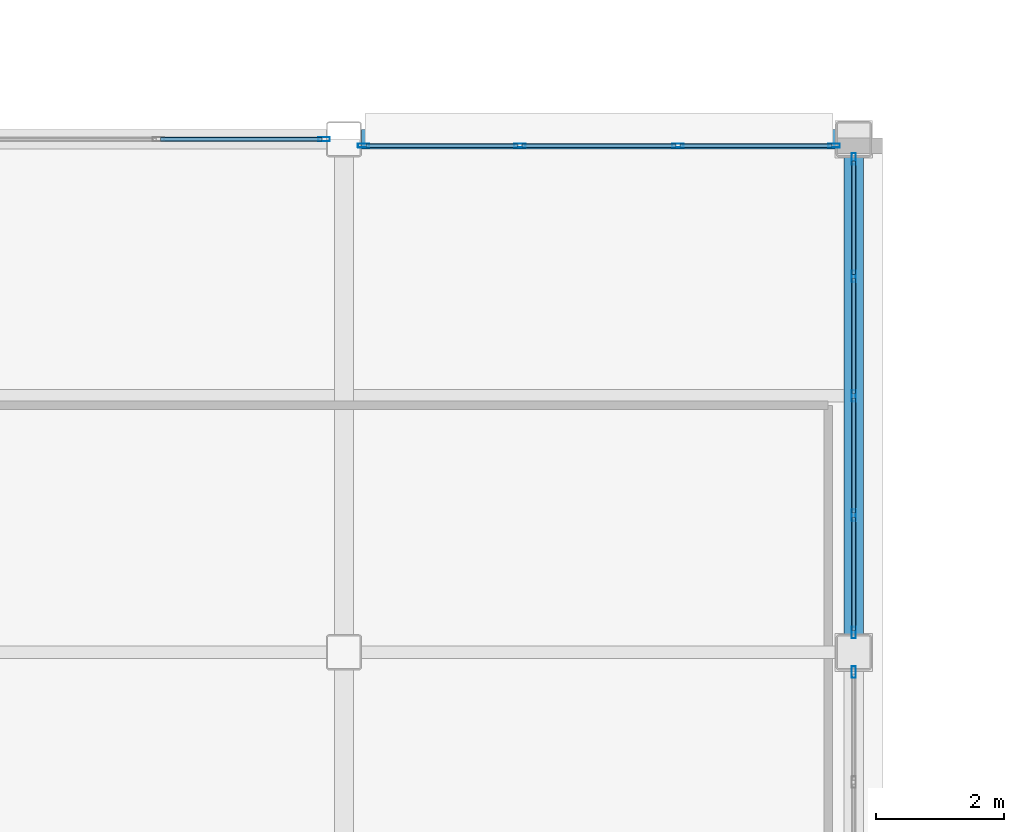
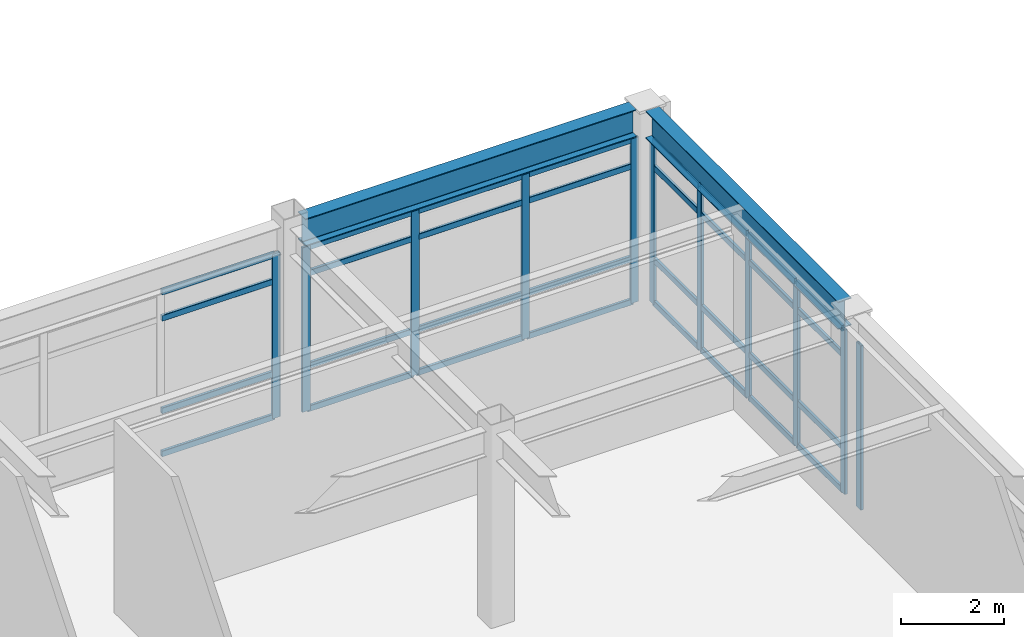
# One storey, part 60 of 154: 43 members, 2 beams, 4 elements without a shape of their own.
"""IFC4 building model written with IfcOpenShell, lengths in metres."""

from ifc_helpers import new_model, si_unit, direction, frame, origin, origin_2d, place, context, subcontext, project, spatial, hollow_rectangle, i_section, extrude, material, layer, layer_set, material_profile, profile_set, type_object, element, aggregate, save


model = new_model("IFC4")

# Units and contexts
model_context = context("Model", 3, precision=1e-05, world=origin(), true_north=direction((0.0, 1.0)))
body_context = subcontext(model_context, "Body", "Model", "MODEL_VIEW")
ifc_project = project(units=[si_unit("LENGTHUNIT", "METRE"), si_unit("AREAUNIT", "SQUARE_METRE"), si_unit("VOLUMEUNIT", "CUBIC_METRE"), si_unit("PLANEANGLEUNIT", "RADIAN"), si_unit("MASSUNIT", "GRAM", prefix="KILO")], contexts=[model_context])

# Site, building, storey
site_placement = place(None, origin())
site = spatial("IfcSite", under=ifc_project, at=site_placement, CompositionType="ELEMENT")
building_placement = place(site_placement, origin())
building = spatial("IfcBuilding", under=site, at=building_placement, Name="Kazehara Bluff Congress Hotel", CompositionType="ELEMENT")
storey_placement = place(building_placement, frame((0.0, 0.0, 10.199951171875)))
storey = spatial("IfcBuildingStorey", under=building, at=storey_placement, Name="L02", CompositionType="ELEMENT", Elevation=10.199951171875)

# Curtain wall, member
ifc_material_1 = material(Name="Anodised aluminium", Category="aluminium")
ifc_layer_1 = layer(ifc_material_1, 0.159912109375)
ifc_layer_set_1 = layer_set([ifc_layer_1], Name="Anodised aluminium")
curtain_wall_type_1 = type_object("IfcCurtainWallType", Name="TP-CW-59", PredefinedType="NOTDEFINED", material=ifc_layer_set_1)
curtain_wall_1_placement = place(storey_placement, origin())
curtain_wall_1 = element("IfcCurtainWall", 1, at=curtain_wall_1_placement, inside=storey, type_object=curtain_wall_type_1, Name="L02 curtain wall CW-59 CW-V4-L02-X10920-4118", PredefinedType="NOTDEFINED")
ifc_material_2 = material(Name="Anodised aluminium", Category="aluminium")
ifc_material_profile_1 = material_profile(ifc_material_2, hollow_rectangle(XDim=0.06494140625, YDim=0.179931640625, WallThickness=0.00390625, InnerFilletRadius=0.00390625, OuterFilletRadius=0.008056640625, at=origin_2d()))
ifc_profile_set_1 = profile_set([ifc_material_profile_1], Name="Anodised aluminium")
member_type_1 = type_object("IfcMemberType", Name="TP-CWM-02", PredefinedType="MULLION", material=ifc_profile_set_1)
member_1_placement = place(storey_placement, frame((109.199951171875, 48.142578125, 0.0), z_axis=(0.0, 0.0, 1.0), x_axis=(-1.0, 0.0, 0.0)))
member_1 = element("IfcMember", 2, at=member_1_placement, type_object=member_type_1, Name="CW-59 mullion 5", PredefinedType="MULLION", context=body_context, shape_type="SweptSolid", body=[
    extrude(hollow_rectangle(XDim=0.06494140625, YDim=0.179931640625, WallThickness=0.00390625, InnerFilletRadius=0.00390625, OuterFilletRadius=0.008056640625, at=origin_2d()), origin(), (0.0, 0.0, 1.0), 3.885009765625),
])
aggregate(curtain_wall_1, [member_1])

# Curtain wall, members
ifc_material_3 = material(Name="Anodised aluminium", Category="aluminium")
ifc_layer_2 = layer(ifc_material_3, 0.159912109375)
ifc_layer_set_2 = layer_set([ifc_layer_2], Name="Anodised aluminium")
curtain_wall_type_2 = type_object("IfcCurtainWallType", Name="TP-CW-60", PredefinedType="NOTDEFINED", material=ifc_layer_set_2)
curtain_wall_2_placement = place(storey_placement, origin())
curtain_wall_2 = element("IfcCurtainWall", 3, at=curtain_wall_2_placement, inside=storey, type_object=curtain_wall_type_2, Name="L02 curtain wall CW-60 CW-V4-L02-X10920-4872", PredefinedType="NOTDEFINED")
member_2_placement = place(storey_placement, frame((109.199951171875, 48.757568359375, 0.0), z_axis=(0.0, 0.0, 1.0), x_axis=(-1.0, 0.0, 0.0)))
member_2 = element("IfcMember", 4, at=member_2_placement, type_object=member_type_1, Name="CW-60 mullion 1", PredefinedType="MULLION", context=body_context, shape_type="SweptSolid", body=[
    extrude(hollow_rectangle(XDim=0.06494140625, YDim=0.179931640625, WallThickness=0.00390625, InnerFilletRadius=0.00390625, OuterFilletRadius=0.008056640625, at=origin_2d()), origin(), (0.0, 0.0, 1.0), 3.885009765625),
])
member_3_placement = place(storey_placement, frame((109.199951171875, 50.58740234375, 0.0), z_axis=(0.0, 0.0, 1.0), x_axis=(-1.0, 0.0, 0.0)))
member_3 = element("IfcMember", 5, at=member_3_placement, type_object=member_type_1, Name="CW-60 mullion 2", PredefinedType="MULLION", context=body_context, shape_type="SweptSolid", body=[
    extrude(hollow_rectangle(XDim=0.06494140625, YDim=0.179931640625, WallThickness=0.00390625, InnerFilletRadius=0.00390625, OuterFilletRadius=0.008056640625, at=origin_2d()), origin(), (0.0, 0.0, 1.0), 3.885009765625),
])
member_4_placement = place(storey_placement, frame((109.199951171875, 52.449951171875, 0.0), z_axis=(0.0, 0.0, 1.0), x_axis=(-1.0, 0.0, 0.0)))
member_4 = element("IfcMember", 6, at=member_4_placement, type_object=member_type_1, Name="CW-60 mullion 3", PredefinedType="MULLION", context=body_context, shape_type="SweptSolid", body=[
    extrude(hollow_rectangle(XDim=0.06494140625, YDim=0.179931640625, WallThickness=0.00390625, InnerFilletRadius=0.00390625, OuterFilletRadius=0.008056640625, at=origin_2d()), origin(), (0.0, 0.0, 1.0), 3.885009765625),
])
member_5_placement = place(storey_placement, frame((109.199951171875, 54.3125, 0.0), z_axis=(0.0, 0.0, 1.0), x_axis=(-1.0, 0.0, 0.0)))
member_5 = element("IfcMember", 7, at=member_5_placement, type_object=member_type_1, Name="CW-60 mullion 4", PredefinedType="MULLION", context=body_context, shape_type="SweptSolid", body=[
    extrude(hollow_rectangle(XDim=0.06494140625, YDim=0.179931640625, WallThickness=0.00390625, InnerFilletRadius=0.00390625, OuterFilletRadius=0.008056640625, at=origin_2d()), origin(), (0.0, 0.0, 1.0), 3.885009765625),
])
member_6_placement = place(storey_placement, frame((109.199951171875, 56.142578125, 0.0), z_axis=(0.0, 0.0, 1.0), x_axis=(-1.0, 0.0, 0.0)))
member_6 = element("IfcMember", 8, at=member_6_placement, type_object=member_type_1, Name="CW-60 mullion 5", PredefinedType="MULLION", context=body_context, shape_type="SweptSolid", body=[
    extrude(hollow_rectangle(XDim=0.06494140625, YDim=0.179931640625, WallThickness=0.00390625, InnerFilletRadius=0.00390625, OuterFilletRadius=0.008056640625, at=origin_2d()), origin(), (0.0, 0.0, 1.0), 3.885009765625),
])

# Curtain wall, member
ifc_material_4 = material(Name="Anodised aluminium", Category="aluminium")
ifc_layer_3 = layer(ifc_material_4, 0.159912109375)
ifc_layer_set_3 = layer_set([ifc_layer_3], Name="Anodised aluminium")
curtain_wall_type_3 = type_object("IfcCurtainWallType", Name="TP-CW-74", PredefinedType="NOTDEFINED", material=ifc_layer_set_3)
curtain_wall_3_placement = place(storey_placement, origin())
curtain_wall_3 = element("IfcCurtainWall", 9, at=curtain_wall_3_placement, inside=storey, type_object=curtain_wall_type_3, Name="L02 curtain wall CW-74 CW-V4-L02-Y5645-9312", PredefinedType="NOTDEFINED")
member_7_placement = place(storey_placement, frame((100.9423828125, 56.449951171875, 0.0), z_axis=(0.0, 0.0, 1.0), x_axis=(0.0, 1.0, 0.0)))
member_7 = element("IfcMember", 10, at=member_7_placement, type_object=member_type_1, Name="CW-74 mullion 4", PredefinedType="MULLION", context=body_context, shape_type="SweptSolid", body=[
    extrude(hollow_rectangle(XDim=0.06494140625, YDim=0.179931640625, WallThickness=0.00390625, InnerFilletRadius=0.00390625, OuterFilletRadius=0.008056640625, at=origin_2d()), origin(), (0.0, 0.0, 1.0), 3.885009765625),
])

# Curtain wall, members
ifc_material_5 = material(Name="Anodised aluminium", Category="aluminium")
ifc_layer_4 = layer(ifc_material_5, 0.159912109375)
ifc_layer_set_4 = layer_set([ifc_layer_4], Name="Anodised aluminium")
curtain_wall_type_4 = type_object("IfcCurtainWallType", Name="TP-CW-34", PredefinedType="NOTDEFINED", material=ifc_layer_set_4)
curtain_wall_4_placement = place(storey_placement, origin())
curtain_wall_4 = element("IfcCurtainWall", 11, at=curtain_wall_4_placement, inside=storey, type_object=curtain_wall_type_4, Name="L02 curtain wall CW-34 CW-ENC-V4-L02-10522-5635", PredefinedType="NOTDEFINED")
member_8_placement = place(storey_placement, frame((101.5576171875, 56.35009765625, 0.0), z_axis=(0.0, 0.0, 1.0), x_axis=(0.0, 1.0, 0.0)))
member_8 = element("IfcMember", 12, at=member_8_placement, type_object=member_type_1, Name="CW-34 mullion 1", PredefinedType="MULLION", context=body_context, shape_type="SweptSolid", body=[
    extrude(hollow_rectangle(XDim=0.06494140625, YDim=0.179931640625, WallThickness=0.00390625, InnerFilletRadius=0.00390625, OuterFilletRadius=0.008056640625, at=origin_2d()), origin(), (0.0, 0.0, 1.0), 3.885009765625),
])
member_9_placement = place(storey_placement, frame((103.99169921875, 56.35009765625, 0.0), z_axis=(0.0, 0.0, 1.0), x_axis=(0.0, 1.0, 0.0)))
member_9 = element("IfcMember", 13, at=member_9_placement, type_object=member_type_1, Name="CW-34 mullion 2", PredefinedType="MULLION", context=body_context, shape_type="SweptSolid", body=[
    extrude(hollow_rectangle(XDim=0.06494140625, YDim=0.179931640625, WallThickness=0.00390625, InnerFilletRadius=0.00390625, OuterFilletRadius=0.008056640625, at=origin_2d()), origin(), (0.0, 0.0, 1.0), 3.885009765625),
])
member_10_placement = place(storey_placement, frame((106.458251953125, 56.35009765625, 0.0), z_axis=(0.0, 0.0, 1.0), x_axis=(0.0, 1.0, 0.0)))
member_10 = element("IfcMember", 14, at=member_10_placement, type_object=member_type_1, Name="CW-34 mullion 3", PredefinedType="MULLION", context=body_context, shape_type="SweptSolid", body=[
    extrude(hollow_rectangle(XDim=0.06494140625, YDim=0.179931640625, WallThickness=0.00390625, InnerFilletRadius=0.00390625, OuterFilletRadius=0.008056640625, at=origin_2d()), origin(), (0.0, 0.0, 1.0), 3.885009765625),
])
member_11_placement = place(storey_placement, frame((108.892578125, 56.35009765625, 0.0), z_axis=(0.0, 0.0, 1.0), x_axis=(0.0, 1.0, 0.0)))
member_11 = element("IfcMember", 15, at=member_11_placement, type_object=member_type_1, Name="CW-34 mullion 4", PredefinedType="MULLION", context=body_context, shape_type="SweptSolid", body=[
    extrude(hollow_rectangle(XDim=0.06494140625, YDim=0.179931640625, WallThickness=0.00390625, InnerFilletRadius=0.00390625, OuterFilletRadius=0.008056640625, at=origin_2d()), origin(), (0.0, 0.0, 1.0), 3.885009765625),
])

# Member
ifc_material_6 = material(Name="Anodised aluminium", Category="aluminium")
ifc_material_profile_2 = material_profile(ifc_material_6, hollow_rectangle(XDim=0.06494140625, YDim=0.139892578125, WallThickness=0.00390625, InnerFilletRadius=0.00390625, OuterFilletRadius=0.008056640625, at=origin_2d()))
ifc_profile_set_2 = profile_set([ifc_material_profile_2], Name="Anodised aluminium")
member_type_2 = type_object("IfcMemberType", Name="TP-CWT-02", PredefinedType="USERDEFINED", material=ifc_profile_set_2)
member_12_placement = place(storey_placement, frame((109.199951171875, 48.7900390625, 0.032470703125), z_axis=(0.0, 1.0, 0.0), x_axis=(-1.0, 0.0, 0.0)))
member_12 = element("IfcMember", 16, at=member_12_placement, type_object=member_type_2, Name="CW-60 transom 1.1", ObjectType="TRANSOM", PredefinedType="USERDEFINED", context=body_context, shape_type="SweptSolid", body=[
    extrude(hollow_rectangle(XDim=0.06494140625, YDim=0.139892578125, WallThickness=0.00390625, InnerFilletRadius=0.00390625, OuterFilletRadius=0.008056640625, at=origin_2d()), origin(), (0.0, 0.0, 1.0), 1.764892578125),
])

member_13_placement = place(storey_placement, frame((109.199951171875, 48.7900390625, 1.050048828125), z_axis=(0.0, 1.0, 0.0), x_axis=(-1.0, 0.0, 0.0)))
member_13 = element("IfcMember", 17, at=member_13_placement, type_object=member_type_2, Name="CW-60 transom 1.2", ObjectType="TRANSOM", PredefinedType="USERDEFINED", context=body_context, shape_type="SweptSolid", body=[
    extrude(hollow_rectangle(XDim=0.06494140625, YDim=0.139892578125, WallThickness=0.00390625, InnerFilletRadius=0.00390625, OuterFilletRadius=0.008056640625, at=origin_2d()), origin(), (0.0, 0.0, 1.0), 1.764892578125),
])

member_14_placement = place(storey_placement, frame((109.199951171875, 48.7900390625, 3.235107421875), z_axis=(0.0, 1.0, 0.0), x_axis=(-1.0, 0.0, 0.0)))
member_14 = element("IfcMember", 18, at=member_14_placement, type_object=member_type_2, Name="CW-60 transom 1.3", ObjectType="TRANSOM", PredefinedType="USERDEFINED", context=body_context, shape_type="SweptSolid", body=[
    extrude(hollow_rectangle(XDim=0.06494140625, YDim=0.139892578125, WallThickness=0.00390625, InnerFilletRadius=0.00390625, OuterFilletRadius=0.008056640625, at=origin_2d()), origin(), (0.0, 0.0, 1.0), 1.764892578125),
])

member_15_placement = place(storey_placement, frame((109.199951171875, 48.7900390625, 3.8525390625), z_axis=(0.0, 1.0, 0.0), x_axis=(-1.0, 0.0, 0.0)))
member_15 = element("IfcMember", 19, at=member_15_placement, type_object=member_type_2, Name="CW-60 transom 1.4", ObjectType="TRANSOM", PredefinedType="USERDEFINED", context=body_context, shape_type="SweptSolid", body=[
    extrude(hollow_rectangle(XDim=0.06494140625, YDim=0.139892578125, WallThickness=0.00390625, InnerFilletRadius=0.00390625, OuterFilletRadius=0.008056640625, at=origin_2d()), origin(), (0.0, 0.0, 1.0), 1.764892578125),
])

member_16_placement = place(storey_placement, frame((109.199951171875, 50.6201171875, 0.032470703125), z_axis=(0.0, 1.0, 0.0), x_axis=(-1.0, 0.0, 0.0)))
member_16 = element("IfcMember", 20, at=member_16_placement, type_object=member_type_2, Name="CW-60 transom 2.1", ObjectType="TRANSOM", PredefinedType="USERDEFINED", context=body_context, shape_type="SweptSolid", body=[
    extrude(hollow_rectangle(XDim=0.06494140625, YDim=0.139892578125, WallThickness=0.00390625, InnerFilletRadius=0.00390625, OuterFilletRadius=0.008056640625, at=origin_2d()), origin(), (0.0, 0.0, 1.0), 1.79736328125),
])

member_17_placement = place(storey_placement, frame((109.199951171875, 50.6201171875, 1.050048828125), z_axis=(0.0, 1.0, 0.0), x_axis=(-1.0, 0.0, 0.0)))
member_17 = element("IfcMember", 21, at=member_17_placement, type_object=member_type_2, Name="CW-60 transom 2.2", ObjectType="TRANSOM", PredefinedType="USERDEFINED", context=body_context, shape_type="SweptSolid", body=[
    extrude(hollow_rectangle(XDim=0.06494140625, YDim=0.139892578125, WallThickness=0.00390625, InnerFilletRadius=0.00390625, OuterFilletRadius=0.008056640625, at=origin_2d()), origin(), (0.0, 0.0, 1.0), 1.79736328125),
])

member_18_placement = place(storey_placement, frame((109.199951171875, 50.6201171875, 3.235107421875), z_axis=(0.0, 1.0, 0.0), x_axis=(-1.0, 0.0, 0.0)))
member_18 = element("IfcMember", 22, at=member_18_placement, type_object=member_type_2, Name="CW-60 transom 2.3", ObjectType="TRANSOM", PredefinedType="USERDEFINED", context=body_context, shape_type="SweptSolid", body=[
    extrude(hollow_rectangle(XDim=0.06494140625, YDim=0.139892578125, WallThickness=0.00390625, InnerFilletRadius=0.00390625, OuterFilletRadius=0.008056640625, at=origin_2d()), origin(), (0.0, 0.0, 1.0), 1.79736328125),
])

member_19_placement = place(storey_placement, frame((109.199951171875, 50.6201171875, 3.8525390625), z_axis=(0.0, 1.0, 0.0), x_axis=(-1.0, 0.0, 0.0)))
member_19 = element("IfcMember", 23, at=member_19_placement, type_object=member_type_2, Name="CW-60 transom 2.4", ObjectType="TRANSOM", PredefinedType="USERDEFINED", context=body_context, shape_type="SweptSolid", body=[
    extrude(hollow_rectangle(XDim=0.06494140625, YDim=0.139892578125, WallThickness=0.00390625, InnerFilletRadius=0.00390625, OuterFilletRadius=0.008056640625, at=origin_2d()), origin(), (0.0, 0.0, 1.0), 1.79736328125),
])

member_20_placement = place(storey_placement, frame((109.199951171875, 52.482421875, 0.032470703125), z_axis=(0.0, 1.0, 0.0), x_axis=(-1.0, 0.0, 0.0)))
member_20 = element("IfcMember", 24, at=member_20_placement, type_object=member_type_2, Name="CW-60 transom 3.1", ObjectType="TRANSOM", PredefinedType="USERDEFINED", context=body_context, shape_type="SweptSolid", body=[
    extrude(hollow_rectangle(XDim=0.06494140625, YDim=0.139892578125, WallThickness=0.00390625, InnerFilletRadius=0.00390625, OuterFilletRadius=0.008056640625, at=origin_2d()), origin(), (0.0, 0.0, 1.0), 1.797607421875),
])

member_21_placement = place(storey_placement, frame((109.199951171875, 52.482421875, 1.050048828125), z_axis=(0.0, 1.0, 0.0), x_axis=(-1.0, 0.0, 0.0)))
member_21 = element("IfcMember", 25, at=member_21_placement, type_object=member_type_2, Name="CW-60 transom 3.2", ObjectType="TRANSOM", PredefinedType="USERDEFINED", context=body_context, shape_type="SweptSolid", body=[
    extrude(hollow_rectangle(XDim=0.06494140625, YDim=0.139892578125, WallThickness=0.00390625, InnerFilletRadius=0.00390625, OuterFilletRadius=0.008056640625, at=origin_2d()), origin(), (0.0, 0.0, 1.0), 1.797607421875),
])

member_22_placement = place(storey_placement, frame((109.199951171875, 52.482421875, 3.235107421875), z_axis=(0.0, 1.0, 0.0), x_axis=(-1.0, 0.0, 0.0)))
member_22 = element("IfcMember", 26, at=member_22_placement, type_object=member_type_2, Name="CW-60 transom 3.3", ObjectType="TRANSOM", PredefinedType="USERDEFINED", context=body_context, shape_type="SweptSolid", body=[
    extrude(hollow_rectangle(XDim=0.06494140625, YDim=0.139892578125, WallThickness=0.00390625, InnerFilletRadius=0.00390625, OuterFilletRadius=0.008056640625, at=origin_2d()), origin(), (0.0, 0.0, 1.0), 1.797607421875),
])

member_23_placement = place(storey_placement, frame((109.199951171875, 52.482421875, 3.8525390625), z_axis=(0.0, 1.0, 0.0), x_axis=(-1.0, 0.0, 0.0)))
member_23 = element("IfcMember", 27, at=member_23_placement, type_object=member_type_2, Name="CW-60 transom 3.4", ObjectType="TRANSOM", PredefinedType="USERDEFINED", context=body_context, shape_type="SweptSolid", body=[
    extrude(hollow_rectangle(XDim=0.06494140625, YDim=0.139892578125, WallThickness=0.00390625, InnerFilletRadius=0.00390625, OuterFilletRadius=0.008056640625, at=origin_2d()), origin(), (0.0, 0.0, 1.0), 1.797607421875),
])

member_24_placement = place(storey_placement, frame((109.199951171875, 54.344970703125, 0.032470703125), z_axis=(0.0, 1.0, 0.0), x_axis=(-1.0, 0.0, 0.0)))
member_24 = element("IfcMember", 28, at=member_24_placement, type_object=member_type_2, Name="CW-60 transom 4.1", ObjectType="TRANSOM", PredefinedType="USERDEFINED", context=body_context, shape_type="SweptSolid", body=[
    extrude(hollow_rectangle(XDim=0.06494140625, YDim=0.139892578125, WallThickness=0.00390625, InnerFilletRadius=0.00390625, OuterFilletRadius=0.008056640625, at=origin_2d()), origin(), (0.0, 0.0, 1.0), 1.76513671875),
])

member_25_placement = place(storey_placement, frame((109.199951171875, 54.344970703125, 1.050048828125), z_axis=(0.0, 1.0, 0.0), x_axis=(-1.0, 0.0, 0.0)))
member_25 = element("IfcMember", 29, at=member_25_placement, type_object=member_type_2, Name="CW-60 transom 4.2", ObjectType="TRANSOM", PredefinedType="USERDEFINED", context=body_context, shape_type="SweptSolid", body=[
    extrude(hollow_rectangle(XDim=0.06494140625, YDim=0.139892578125, WallThickness=0.00390625, InnerFilletRadius=0.00390625, OuterFilletRadius=0.008056640625, at=origin_2d()), origin(), (0.0, 0.0, 1.0), 1.76513671875),
])

member_26_placement = place(storey_placement, frame((109.199951171875, 54.344970703125, 3.235107421875), z_axis=(0.0, 1.0, 0.0), x_axis=(-1.0, 0.0, 0.0)))
member_26 = element("IfcMember", 30, at=member_26_placement, type_object=member_type_2, Name="CW-60 transom 4.3", ObjectType="TRANSOM", PredefinedType="USERDEFINED", context=body_context, shape_type="SweptSolid", body=[
    extrude(hollow_rectangle(XDim=0.06494140625, YDim=0.139892578125, WallThickness=0.00390625, InnerFilletRadius=0.00390625, OuterFilletRadius=0.008056640625, at=origin_2d()), origin(), (0.0, 0.0, 1.0), 1.76513671875),
])

member_27_placement = place(storey_placement, frame((109.199951171875, 54.344970703125, 3.8525390625), z_axis=(0.0, 1.0, 0.0), x_axis=(-1.0, 0.0, 0.0)))
member_27 = element("IfcMember", 31, at=member_27_placement, type_object=member_type_2, Name="CW-60 transom 4.4", ObjectType="TRANSOM", PredefinedType="USERDEFINED", context=body_context, shape_type="SweptSolid", body=[
    extrude(hollow_rectangle(XDim=0.06494140625, YDim=0.139892578125, WallThickness=0.00390625, InnerFilletRadius=0.00390625, OuterFilletRadius=0.008056640625, at=origin_2d()), origin(), (0.0, 0.0, 1.0), 1.76513671875),
])

aggregate(curtain_wall_2, [member_2, member_3, member_4, member_5, member_6, member_12, member_13, member_14, member_15, member_16, member_17, member_18, member_19, member_20, member_21, member_22, member_23, member_24, member_25, member_26, member_27])

member_28_placement = place(storey_placement, frame((98.390869140625, 56.449951171875, 0.032470703125), z_axis=(1.0, 0.0, 0.0), x_axis=(0.0, 1.0, 0.0)))
member_28 = element("IfcMember", 32, at=member_28_placement, type_object=member_type_2, Name="CW-74 transom 3.1", ObjectType="TRANSOM", PredefinedType="USERDEFINED", context=body_context, shape_type="SweptSolid", body=[
    extrude(hollow_rectangle(XDim=0.06494140625, YDim=0.139892578125, WallThickness=0.00390625, InnerFilletRadius=0.00390625, OuterFilletRadius=0.008056640625, at=origin_2d()), origin(), (0.0, 0.0, 1.0), 2.51904296875),
])

member_29_placement = place(storey_placement, frame((98.390869140625, 56.449951171875, 1.050048828125), z_axis=(1.0, 0.0, 0.0), x_axis=(0.0, 1.0, 0.0)))
member_29 = element("IfcMember", 33, at=member_29_placement, type_object=member_type_2, Name="CW-74 transom 3.2", ObjectType="TRANSOM", PredefinedType="USERDEFINED", context=body_context, shape_type="SweptSolid", body=[
    extrude(hollow_rectangle(XDim=0.06494140625, YDim=0.139892578125, WallThickness=0.00390625, InnerFilletRadius=0.00390625, OuterFilletRadius=0.008056640625, at=origin_2d()), origin(), (0.0, 0.0, 1.0), 2.51904296875),
])

member_30_placement = place(storey_placement, frame((98.390869140625, 56.449951171875, 3.235107421875), z_axis=(1.0, 0.0, 0.0), x_axis=(0.0, 1.0, 0.0)))
member_30 = element("IfcMember", 34, at=member_30_placement, type_object=member_type_2, Name="CW-74 transom 3.3", ObjectType="TRANSOM", PredefinedType="USERDEFINED", context=body_context, shape_type="SweptSolid", body=[
    extrude(hollow_rectangle(XDim=0.06494140625, YDim=0.139892578125, WallThickness=0.00390625, InnerFilletRadius=0.00390625, OuterFilletRadius=0.008056640625, at=origin_2d()), origin(), (0.0, 0.0, 1.0), 2.51904296875),
])

member_31_placement = place(storey_placement, frame((98.390869140625, 56.449951171875, 3.8525390625), z_axis=(1.0, 0.0, 0.0), x_axis=(0.0, 1.0, 0.0)))
member_31 = element("IfcMember", 35, at=member_31_placement, type_object=member_type_2, Name="CW-74 transom 3.4", ObjectType="TRANSOM", PredefinedType="USERDEFINED", context=body_context, shape_type="SweptSolid", body=[
    extrude(hollow_rectangle(XDim=0.06494140625, YDim=0.139892578125, WallThickness=0.00390625, InnerFilletRadius=0.00390625, OuterFilletRadius=0.008056640625, at=origin_2d()), origin(), (0.0, 0.0, 1.0), 2.51904296875),
])

aggregate(curtain_wall_3, [member_7, member_28, member_29, member_30, member_31])

member_32_placement = place(storey_placement, frame((101.590087890625, 56.35009765625, 0.032470703125), z_axis=(1.0, 0.0, 0.0), x_axis=(0.0, 1.0, 0.0)))
member_32 = element("IfcMember", 36, at=member_32_placement, type_object=member_type_2, Name="CW-34 transom 1.1", ObjectType="TRANSOM", PredefinedType="USERDEFINED", context=body_context, shape_type="SweptSolid", body=[
    extrude(hollow_rectangle(XDim=0.06494140625, YDim=0.139892578125, WallThickness=0.00390625, InnerFilletRadius=0.00390625, OuterFilletRadius=0.008056640625, at=origin_2d()), origin(), (0.0, 0.0, 1.0), 2.369140625),
])

member_33_placement = place(storey_placement, frame((101.590087890625, 56.35009765625, 1.050048828125), z_axis=(1.0, 0.0, 0.0), x_axis=(0.0, 1.0, 0.0)))
member_33 = element("IfcMember", 37, at=member_33_placement, type_object=member_type_2, Name="CW-34 transom 1.2", ObjectType="TRANSOM", PredefinedType="USERDEFINED", context=body_context, shape_type="SweptSolid", body=[
    extrude(hollow_rectangle(XDim=0.06494140625, YDim=0.139892578125, WallThickness=0.00390625, InnerFilletRadius=0.00390625, OuterFilletRadius=0.008056640625, at=origin_2d()), origin(), (0.0, 0.0, 1.0), 2.369140625),
])

member_34_placement = place(storey_placement, frame((101.590087890625, 56.35009765625, 3.235107421875), z_axis=(1.0, 0.0, 0.0), x_axis=(0.0, 1.0, 0.0)))
member_34 = element("IfcMember", 38, at=member_34_placement, type_object=member_type_2, Name="CW-34 transom 1.3", ObjectType="TRANSOM", PredefinedType="USERDEFINED", context=body_context, shape_type="SweptSolid", body=[
    extrude(hollow_rectangle(XDim=0.06494140625, YDim=0.139892578125, WallThickness=0.00390625, InnerFilletRadius=0.00390625, OuterFilletRadius=0.008056640625, at=origin_2d()), origin(), (0.0, 0.0, 1.0), 2.369140625),
])

member_35_placement = place(storey_placement, frame((101.590087890625, 56.35009765625, 3.8525390625), z_axis=(1.0, 0.0, 0.0), x_axis=(0.0, 1.0, 0.0)))
member_35 = element("IfcMember", 39, at=member_35_placement, type_object=member_type_2, Name="CW-34 transom 1.4", ObjectType="TRANSOM", PredefinedType="USERDEFINED", context=body_context, shape_type="SweptSolid", body=[
    extrude(hollow_rectangle(XDim=0.06494140625, YDim=0.139892578125, WallThickness=0.00390625, InnerFilletRadius=0.00390625, OuterFilletRadius=0.008056640625, at=origin_2d()), origin(), (0.0, 0.0, 1.0), 2.369140625),
])

member_36_placement = place(storey_placement, frame((104.024169921875, 56.35009765625, 0.032470703125), z_axis=(1.0, 0.0, 0.0), x_axis=(0.0, 1.0, 0.0)))
member_36 = element("IfcMember", 40, at=member_36_placement, type_object=member_type_2, Name="CW-34 transom 2.1", ObjectType="TRANSOM", PredefinedType="USERDEFINED", context=body_context, shape_type="SweptSolid", body=[
    extrude(hollow_rectangle(XDim=0.06494140625, YDim=0.139892578125, WallThickness=0.00390625, InnerFilletRadius=0.00390625, OuterFilletRadius=0.008056640625, at=origin_2d()), origin(), (0.0, 0.0, 1.0), 2.401611328125),
])

member_37_placement = place(storey_placement, frame((104.024169921875, 56.35009765625, 1.050048828125), z_axis=(1.0, 0.0, 0.0), x_axis=(0.0, 1.0, 0.0)))
member_37 = element("IfcMember", 41, at=member_37_placement, type_object=member_type_2, Name="CW-34 transom 2.2", ObjectType="TRANSOM", PredefinedType="USERDEFINED", context=body_context, shape_type="SweptSolid", body=[
    extrude(hollow_rectangle(XDim=0.06494140625, YDim=0.139892578125, WallThickness=0.00390625, InnerFilletRadius=0.00390625, OuterFilletRadius=0.008056640625, at=origin_2d()), origin(), (0.0, 0.0, 1.0), 2.401611328125),
])

member_38_placement = place(storey_placement, frame((104.024169921875, 56.35009765625, 3.235107421875), z_axis=(1.0, 0.0, 0.0), x_axis=(0.0, 1.0, 0.0)))
member_38 = element("IfcMember", 42, at=member_38_placement, type_object=member_type_2, Name="CW-34 transom 2.3", ObjectType="TRANSOM", PredefinedType="USERDEFINED", context=body_context, shape_type="SweptSolid", body=[
    extrude(hollow_rectangle(XDim=0.06494140625, YDim=0.139892578125, WallThickness=0.00390625, InnerFilletRadius=0.00390625, OuterFilletRadius=0.008056640625, at=origin_2d()), origin(), (0.0, 0.0, 1.0), 2.401611328125),
])

member_39_placement = place(storey_placement, frame((104.024169921875, 56.35009765625, 3.8525390625), z_axis=(1.0, 0.0, 0.0), x_axis=(0.0, 1.0, 0.0)))
member_39 = element("IfcMember", 43, at=member_39_placement, type_object=member_type_2, Name="CW-34 transom 2.4", ObjectType="TRANSOM", PredefinedType="USERDEFINED", context=body_context, shape_type="SweptSolid", body=[
    extrude(hollow_rectangle(XDim=0.06494140625, YDim=0.139892578125, WallThickness=0.00390625, InnerFilletRadius=0.00390625, OuterFilletRadius=0.008056640625, at=origin_2d()), origin(), (0.0, 0.0, 1.0), 2.401611328125),
])

member_40_placement = place(storey_placement, frame((106.49072265625, 56.35009765625, 0.032470703125), z_axis=(1.0, 0.0, 0.0), x_axis=(0.0, 1.0, 0.0)))
member_40 = element("IfcMember", 44, at=member_40_placement, type_object=member_type_2, Name="CW-34 transom 3.1", ObjectType="TRANSOM", PredefinedType="USERDEFINED", context=body_context, shape_type="SweptSolid", body=[
    extrude(hollow_rectangle(XDim=0.06494140625, YDim=0.139892578125, WallThickness=0.00390625, InnerFilletRadius=0.00390625, OuterFilletRadius=0.008056640625, at=origin_2d()), origin(), (0.0, 0.0, 1.0), 2.369384765625),
])

member_41_placement = place(storey_placement, frame((106.49072265625, 56.35009765625, 1.050048828125), z_axis=(1.0, 0.0, 0.0), x_axis=(0.0, 1.0, 0.0)))
member_41 = element("IfcMember", 45, at=member_41_placement, type_object=member_type_2, Name="CW-34 transom 3.2", ObjectType="TRANSOM", PredefinedType="USERDEFINED", context=body_context, shape_type="SweptSolid", body=[
    extrude(hollow_rectangle(XDim=0.06494140625, YDim=0.139892578125, WallThickness=0.00390625, InnerFilletRadius=0.00390625, OuterFilletRadius=0.008056640625, at=origin_2d()), origin(), (0.0, 0.0, 1.0), 2.369384765625),
])

member_42_placement = place(storey_placement, frame((106.49072265625, 56.35009765625, 3.235107421875), z_axis=(1.0, 0.0, 0.0), x_axis=(0.0, 1.0, 0.0)))
member_42 = element("IfcMember", 46, at=member_42_placement, type_object=member_type_2, Name="CW-34 transom 3.3", ObjectType="TRANSOM", PredefinedType="USERDEFINED", context=body_context, shape_type="SweptSolid", body=[
    extrude(hollow_rectangle(XDim=0.06494140625, YDim=0.139892578125, WallThickness=0.00390625, InnerFilletRadius=0.00390625, OuterFilletRadius=0.008056640625, at=origin_2d()), origin(), (0.0, 0.0, 1.0), 2.369384765625),
])

member_43_placement = place(storey_placement, frame((106.49072265625, 56.35009765625, 3.8525390625), z_axis=(1.0, 0.0, 0.0), x_axis=(0.0, 1.0, 0.0)))
member_43 = element("IfcMember", 47, at=member_43_placement, type_object=member_type_2, Name="CW-34 transom 3.4", ObjectType="TRANSOM", PredefinedType="USERDEFINED", context=body_context, shape_type="SweptSolid", body=[
    extrude(hollow_rectangle(XDim=0.06494140625, YDim=0.139892578125, WallThickness=0.00390625, InnerFilletRadius=0.00390625, OuterFilletRadius=0.008056640625, at=origin_2d()), origin(), (0.0, 0.0, 1.0), 2.369384765625),
])

aggregate(curtain_wall_4, [member_8, member_9, member_10, member_11, member_32, member_33, member_34, member_35, member_36, member_37, member_38, member_39, member_40, member_41, member_42, member_43])

# Beams
ifc_material_7 = material(Name="Steel SN490B", Category="steel")
ifc_material_profile_3 = material_profile(ifc_material_7, i_section(OverallWidth=0.300048828125, OverallDepth=0.64990234375, WebThickness=0.011962890625, FlangeThickness=0.02001953125, FilletRadius=0.012939453125, at=origin_2d()))
ifc_profile_set_3 = profile_set([ifc_material_profile_3], Name="Steel SN490B")
beam_type = type_object("IfcBeamType", Name="TP-G-03", PredefinedType="BEAM", material=ifc_profile_set_3)
beam_1_placement = place(storey_placement, frame((109.199951171875, 48.72509765625, 4.235107421875), z_axis=(0.0, 1.0, 0.0), x_axis=(-1.0, 0.0, 0.0)))
element("IfcBeam", 48, at=beam_1_placement, inside=storey, type_object=beam_type, Name="L02 girder G-03 93", PredefinedType="BEAM", context=body_context, shape_type="SweptSolid", body=[
    extrude(i_section(OverallWidth=0.300048828125, OverallDepth=0.64990234375, WebThickness=0.011962890625, FlangeThickness=0.02001953125, FilletRadius=0.012939453125, at=origin_2d()), origin(), (0.0, 0.0, 1.0), 7.449951171875),
])
beam_2_placement = place(storey_placement, frame((101.52490234375, 56.449951171875, 4.235107421875), z_axis=(1.0, 0.0, 0.0), x_axis=(0.0, 1.0, 0.0)))
element("IfcBeam", 49, at=beam_2_placement, inside=storey, type_object=beam_type, Name="L02 girder G-03 127", PredefinedType="BEAM", context=body_context, shape_type="SweptSolid", body=[
    extrude(i_section(OverallWidth=0.300048828125, OverallDepth=0.64990234375, WebThickness=0.011962890625, FlangeThickness=0.02001953125, FilletRadius=0.012939453125, at=origin_2d()), origin(), (0.0, 0.0, 1.0), 7.400146484375),
])

save(model, "model.ifc")
